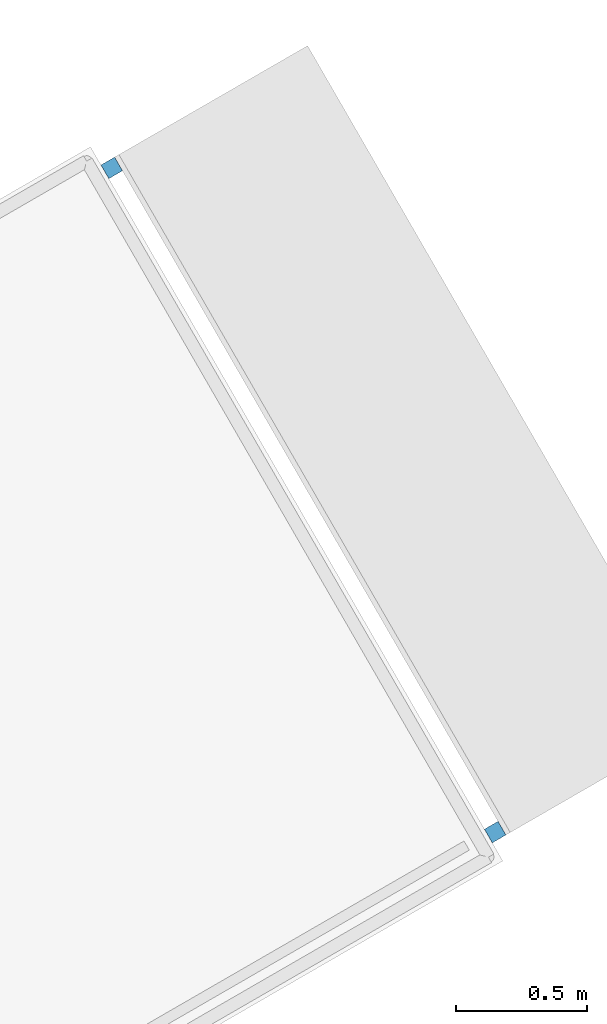
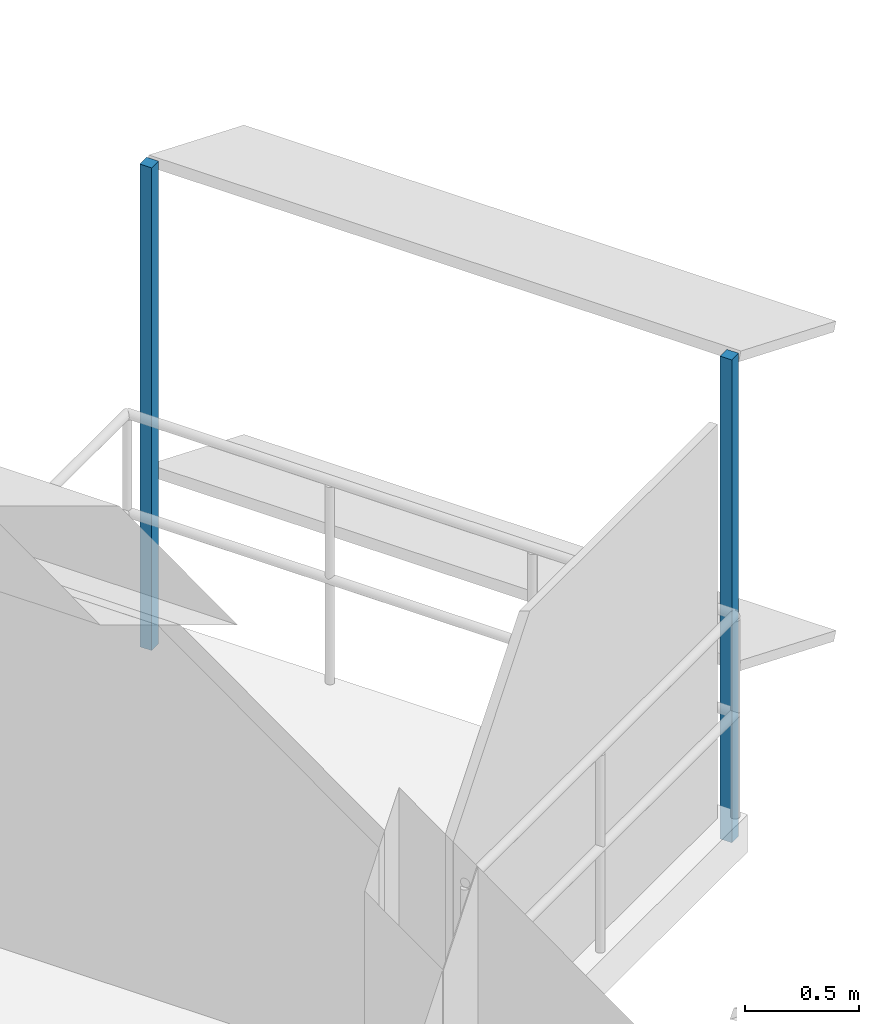
# One storey, part 11 of 16: 2 discrete accessories.
"""IFC4 building model written with IfcOpenShell, lengths in metres."""

from ifc_helpers import new_model, si_unit, direction, frame, origin, origin_2d, place, context, subcontext, project, spatial, rectangle, extrude, material, type_object, element, save


model = new_model("IFC4")

# Units and contexts
model_context = context("Model", 3, precision=1e-05, world=origin(), true_north=direction((0.0, 1.0)))
body_context = subcontext(model_context, "Body", "Model", "MODEL_VIEW")
ifc_project = project(units=[si_unit("LENGTHUNIT", "METRE"), si_unit("AREAUNIT", "SQUARE_METRE"), si_unit("VOLUMEUNIT", "CUBIC_METRE"), si_unit("PLANEANGLEUNIT", "RADIAN"), si_unit("MASSUNIT", "GRAM", prefix="KILO")], contexts=[model_context])

# Site, building, storey
site_placement = place(None, origin())
site = spatial("IfcSite", under=ifc_project, at=site_placement, CompositionType="ELEMENT")
building_placement = place(site_placement, origin())
building = spatial("IfcBuilding", under=site, at=building_placement, Name="Nakaniwa Court", CompositionType="ELEMENT")
storey_placement = place(building_placement, frame((0.0, 0.0, 226.199951171875)))
storey = spatial("IfcBuildingStorey", under=building, at=storey_placement, Name="L58", CompositionType="ELEMENT", Elevation=226.199951171875)

# Discrete accessories
ifc_material = material(Name="Black powder-coated steel bracket S275", Category="steel")
discrete_accessory_type = type_object("IfcDiscreteAccessoryType", Name="Black metal louvre bracket", PredefinedType="BRACKET", material=ifc_material)
for number, where, z_axis, x_axis, name in (
    (1, (103.613037109375, 89.260986328125, -0.229736328125), (0.0, 0.0, 1.0), (-0.499986396443, 0.866033257659, 0.0), "L58 louvre bracket 02 1"),
    (2, (102.149658203125, 91.7958984375, -0.229736328125), (0.0, 0.0, 1.0), (-0.499986396443, 0.866033257659, 0.0), "L58 louvre bracket 02 2"),
):
    element("IfcDiscreteAccessory", number, at=place(storey_placement, frame(where, z_axis=z_axis, x_axis=x_axis)), inside=storey, type_object=discrete_accessory_type, Name=name, PredefinedType="BRACKET", context=body_context, shape_type="SweptSolid", body=[
        extrude(rectangle(XDim=0.06005859375, YDim=0.06005859375, at=origin_2d()), origin(), (0.0, 0.0, 1.0), 2.5751953125),
    ])

save(model, "model.ifc")
